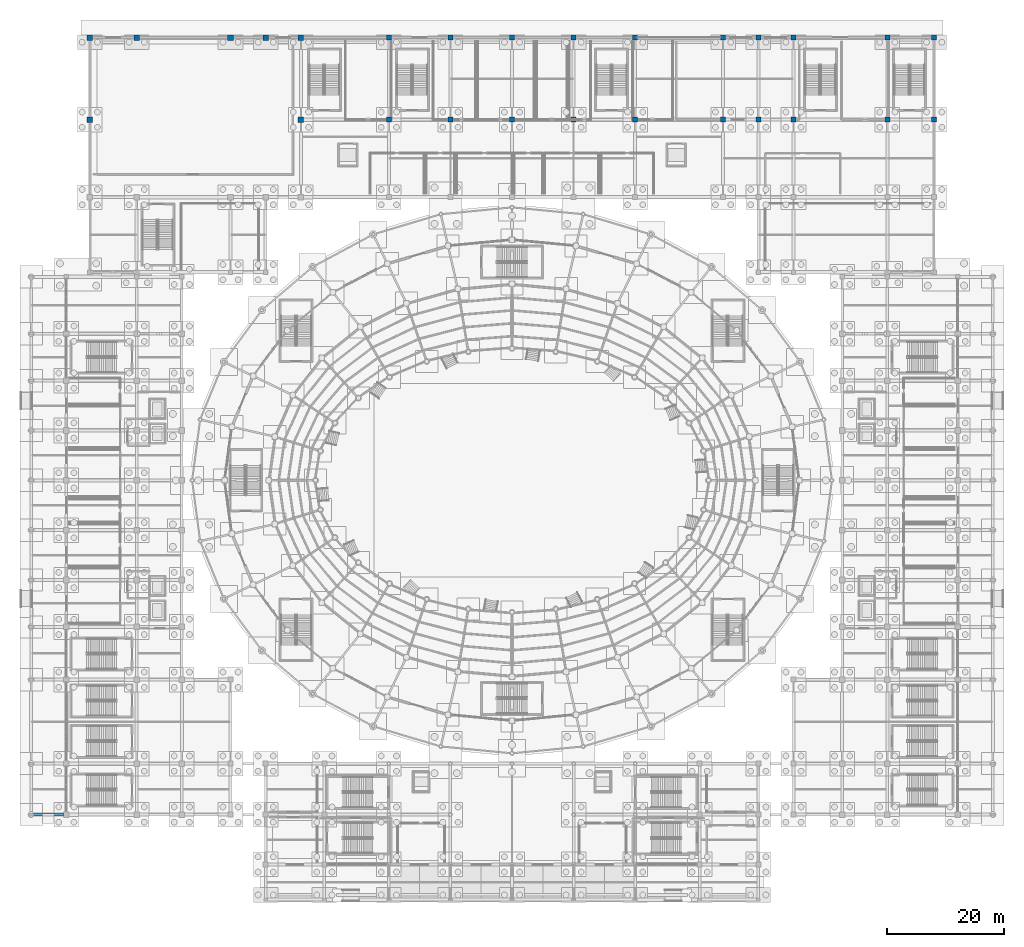
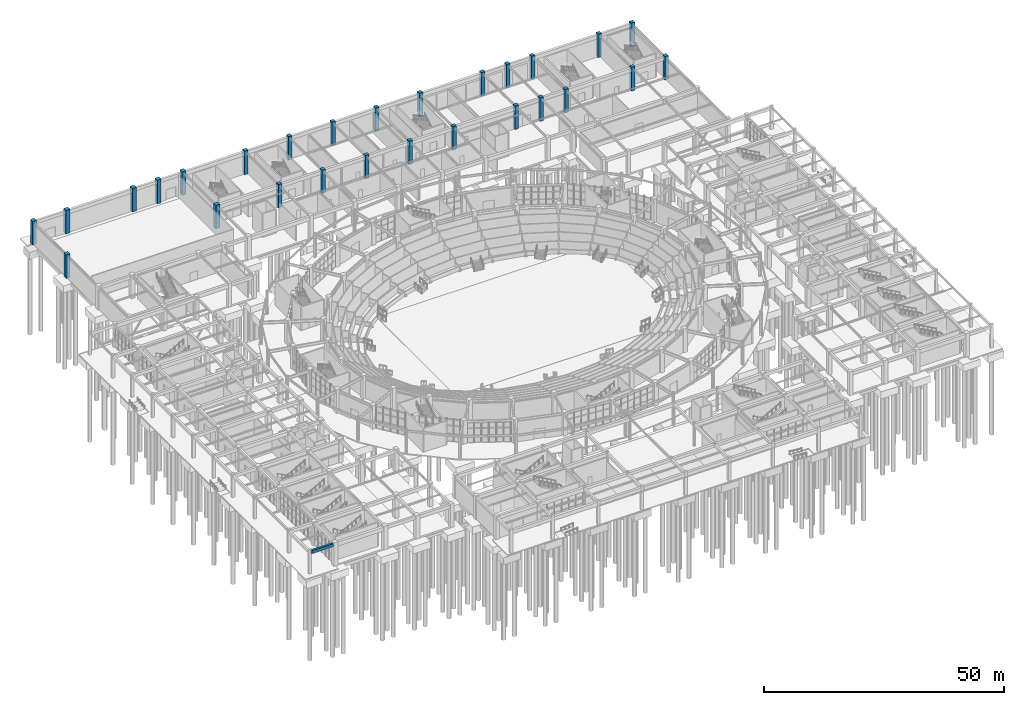
# One storey, part 20 of 121: 27 columns, 1 beam.
"""IFC4 building model written with IfcOpenShell, lengths in metres."""

from ifc_helpers import new_model, si_unit, direction, frame, origin, origin_2d, place, context, subcontext, project, spatial, rectangle, extrude, material, material_profile, profile_set, type_object, element, save


model = new_model("IFC4")

# Units and contexts
model_context = context("Model", 3, precision=1e-05, world=origin(), true_north=direction((0.0, 1.0)))
body_context = subcontext(model_context, "Body", "Model", "MODEL_VIEW")
ifc_project = project(units=[si_unit("LENGTHUNIT", "METRE"), si_unit("AREAUNIT", "SQUARE_METRE"), si_unit("VOLUMEUNIT", "CUBIC_METRE"), si_unit("PLANEANGLEUNIT", "RADIAN"), si_unit("MASSUNIT", "GRAM", prefix="KILO")], contexts=[model_context])

# Site, building, storey
site_placement = place(None, origin())
site = spatial("IfcSite", under=ifc_project, at=site_placement, CompositionType="ELEMENT")
building_placement = place(site_placement, origin())
building = spatial("IfcBuilding", under=site, at=building_placement, Name="Cuetzalor Civic Arena", CompositionType="ELEMENT")
storey_placement = place(building_placement, origin())
storey = spatial("IfcBuildingStorey", under=building, at=storey_placement, Name="L00", CompositionType="ELEMENT", Elevation=0.0)

# Columns
ifc_material_1 = material(Name="Concrete C40/50", Category="concrete")
ifc_material_profile_1 = material_profile(ifc_material_1, rectangle(XDim=0.85009765625, YDim=0.85009765625, at=origin_2d()), Name="RC 850x850")
ifc_profile_set_1 = profile_set([ifc_material_profile_1], Name="Concrete C40/50")
column_type_1 = type_object("IfcColumnType", Name="ConcreteColumn_850", PredefinedType="COLUMN", material=ifc_profile_set_1)
for number, where, z_axis, x_axis, name in (
    (1, (-21.0, 61.5, 0.0), (0.0, 0.0, 1.0), (1.0, 0.0, 0.0), "Column V5-C-06-04 L00"),
    (2, (-21.0, 75.5, 0.0), (0.0, 0.0, 1.0), (1.0, 0.0, 0.0), "Column V5-C-06-05 L00"),
    (3, (-10.5, 61.5, 0.0), (0.0, 0.0, 1.0), (1.0, 0.0, 0.0), "Column V5-C-07-04 L00"),
    (4, (-10.5, 75.5, 0.0), (0.0, 0.0, 1.0), (1.0, 0.0, 0.0), "Column V5-C-07-05 L00"),
    (5, (0.0, 61.5, 0.0), (0.0, 0.0, 1.0), (1.0, 0.0, 0.0), "Column V5-C-08-04 L00"),
    (6, (0.0, 75.5, 0.0), (0.0, 0.0, 1.0), (1.0, 0.0, 0.0), "Column V5-C-08-05 L00"),
    (7, (10.5, 61.5, 0.0), (0.0, 0.0, 1.0), (1.0, 0.0, 0.0), "Column V5-C-09-04 L00"),
    (8, (10.5, 75.5, 0.0), (0.0, 0.0, 1.0), (1.0, 0.0, 0.0), "Column V5-C-09-05 L00"),
    (9, (21.0, 61.5, 0.0), (0.0, 0.0, 1.0), (1.0, 0.0, 0.0), "Column V5-C-10-04 L00"),
    (10, (21.0, 75.5, 0.0), (0.0, 0.0, 1.0), (1.0, 0.0, 0.0), "Column V5-C-10-05 L00"),
    (11, (36.0, 61.5, 0.0), (0.0, 0.0, 1.0), (1.0, 0.0, 0.0), "Column V5-C-11-04 L00"),
    (12, (36.0, 75.5, 0.0), (0.0, 0.0, 1.0), (1.0, 0.0, 0.0), "Column V5-C-11-05 L00"),
    (13, (42.0, 61.5, 0.0), (0.0, 0.0, 1.0), (1.0, 0.0, 0.0), "Column V5-C-12-04 L00"),
    (14, (42.0, 75.5, 0.0), (0.0, 0.0, 1.0), (1.0, 0.0, 0.0), "Column V5-C-12-05 L00"),
    (15, (48.0, 61.5, 0.0), (0.0, 0.0, 1.0), (1.0, 0.0, 0.0), "Column V5-C-13-04 L00"),
    (16, (48.0, 75.5, 0.0), (0.0, 0.0, 1.0), (1.0, 0.0, 0.0), "Column V5-C-13-05 L00"),
    (17, (64.0, 61.5, 0.0), (0.0, 0.0, 1.0), (1.0, 0.0, 0.0), "Column V5-C-14-04 L00"),
    (18, (64.0, 75.5, 0.0), (0.0, 0.0, 1.0), (1.0, 0.0, 0.0), "Column V5-C-14-05 L00"),
    (19, (72.0, 61.5, 0.0), (0.0, 0.0, 1.0), (1.0, 0.0, 0.0), "Column V5-C-15-04 L00"),
    (20, (72.0, 75.5, 0.0), (0.0, 0.0, 1.0), (1.0, 0.0, 0.0), "Column V5-C-15-05 L00"),
):
    element("IfcColumn", number, at=place(storey_placement, frame(where, z_axis=z_axis, x_axis=x_axis)), inside=storey, type_object=column_type_1, Name=name, PredefinedType="COLUMN", context=body_context, shape_type="SweptSolid", body=[
        extrude(rectangle(XDim=0.85009765625, YDim=0.85009765625, at=origin_2d()), origin(), (0.0, 0.0, 1.0), 6.0),
    ])
ifc_material_2 = material(Name="Concrete C40/50", Category="concrete")
ifc_material_profile_2 = material_profile(ifc_material_2, rectangle(XDim=0.949951171875, YDim=0.949951171875, at=origin_2d()), Name="RC 950x950")
ifc_profile_set_2 = profile_set([ifc_material_profile_2], Name="Concrete C40/50")
column_type_2 = type_object("IfcColumnType", Name="ConcreteColumn_950", PredefinedType="COLUMN", material=ifc_profile_set_2)
for number, where, z_axis, x_axis, name in (
    (21, (-72.0, 61.5, 0.0), (0.0, 0.0, 1.0), (1.0, 0.0, 0.0), "Column V5-C-01-04 L00"),
    (22, (-72.0, 75.5, 0.0), (0.0, 0.0, 1.0), (1.0, 0.0, 0.0), "Column V5-C-01-05 L00"),
    (23, (-64.0, 75.5, 0.0), (0.0, 0.0, 1.0), (1.0, 0.0, 0.0), "Column V5-C-02-05 L00"),
    (24, (-48.0, 75.5, 0.0), (0.0, 0.0, 1.0), (1.0, 0.0, 0.0), "Column V5-C-03-05 L00"),
    (25, (-42.0, 75.5, 0.0), (0.0, 0.0, 1.0), (1.0, 0.0, 0.0), "Column V5-C-04-05 L00"),
    (26, (-36.0, 61.5, 0.0), (0.0, 0.0, 1.0), (1.0, 0.0, 0.0), "Column V5-C-05-04 L00"),
    (27, (-36.0, 75.5, 0.0), (0.0, 0.0, 1.0), (1.0, 0.0, 0.0), "Column V5-C-05-05 L00"),
):
    element("IfcColumn", number, at=place(storey_placement, frame(where, z_axis=z_axis, x_axis=x_axis)), inside=storey, type_object=column_type_2, Name=name, PredefinedType="COLUMN", context=body_context, shape_type="SweptSolid", body=[
        extrude(rectangle(XDim=0.949951171875, YDim=0.949951171875, at=origin_2d()), origin(), (0.0, 0.0, 1.0), 6.0),
    ])

# Beam
ifc_material_3 = material(Name="Concrete C40/50", Category="concrete")
ifc_material_profile_3 = material_profile(ifc_material_3, rectangle(XDim=0.5, YDim=0.75, at=origin_2d()), Name="RC 500x750")
ifc_profile_set_3 = profile_set([ifc_material_profile_3], Name="Concrete C40/50")
beam_type = type_object("IfcBeamType", Name="ConcreteFrameBeam_500x750", PredefinedType="BEAM", material=ifc_profile_set_3)
beam_placement = place(storey_placement, frame((-81.68505859375, -57.0, 5.324951171875), z_axis=(1.0, 0.0, 0.0), x_axis=(0.0, 1.0, 0.0)))
element("IfcBeam", 28, at=beam_placement, inside=storey, type_object=beam_type, Name="Frame Girder V4W-L00-X0057", PredefinedType="BEAM", context=body_context, shape_type="SweptSolid", body=[
    extrude(rectangle(XDim=0.5, YDim=0.75, at=origin_2d()), origin(), (0.0, 0.0, 1.0), 5.219970703125),
])

save(model, "model.ifc")
